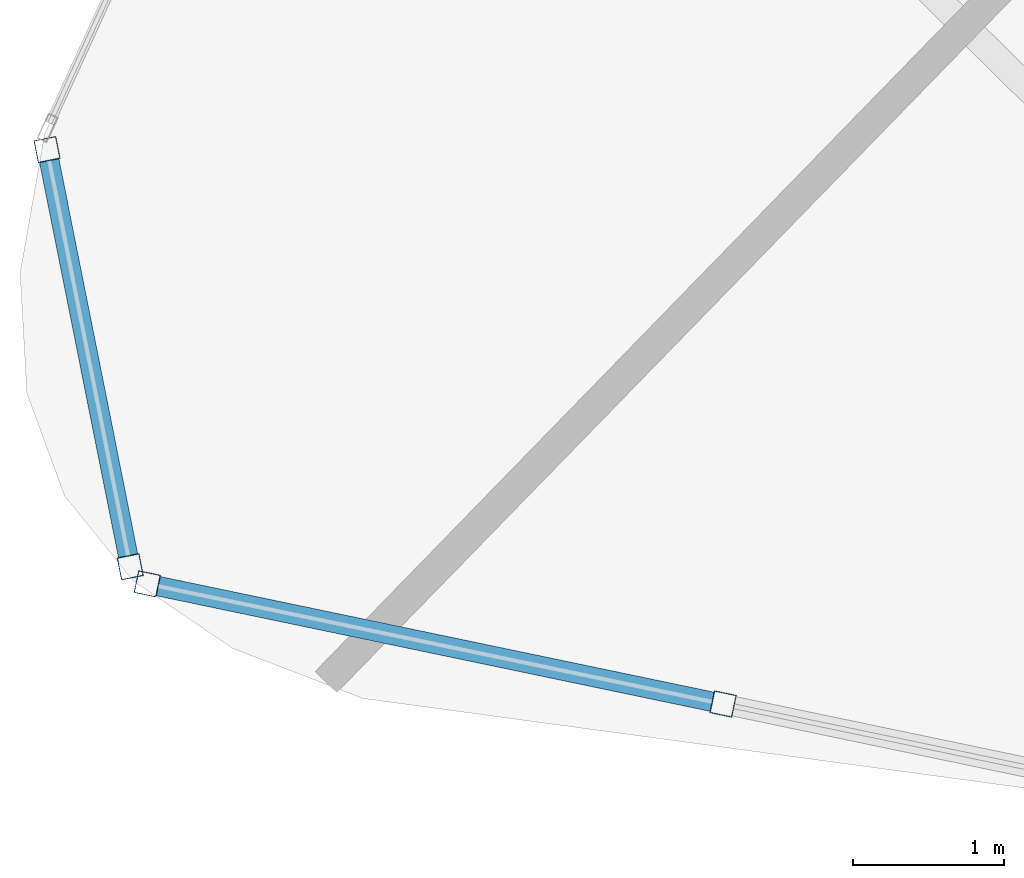
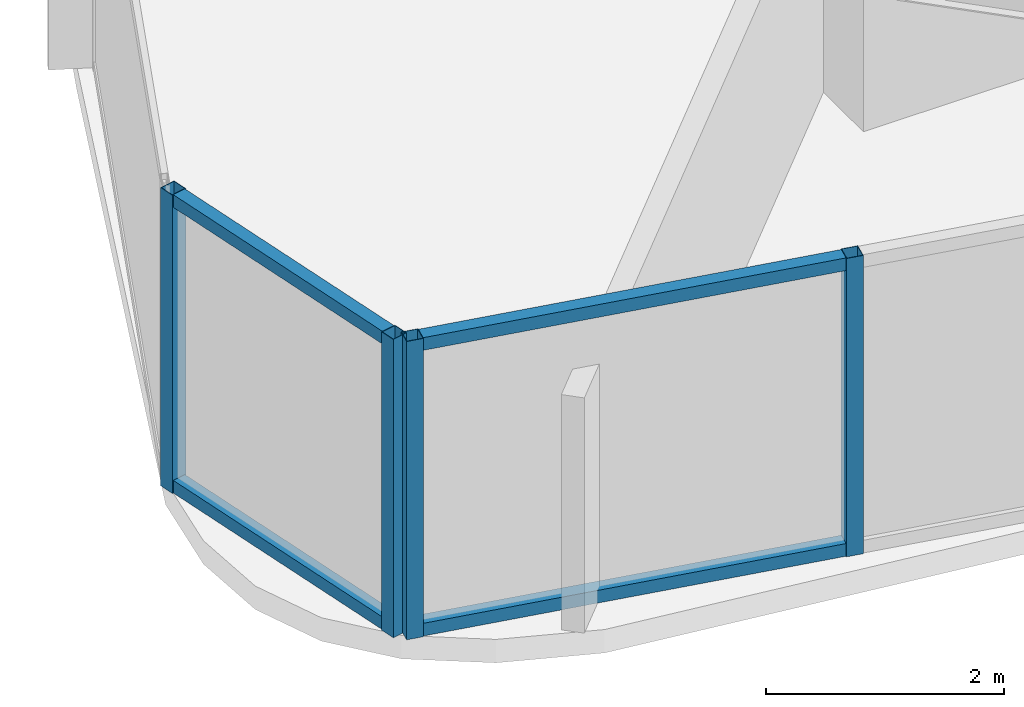
# One storey, part 2 of 33: 8 members, 2 elements without a shape of their own.
"""IFC4 building model written with IfcOpenShell, lengths in metres."""

from ifc_helpers import new_model, si_unit, direction, frame, origin, origin_2d, place, context, subcontext, project, spatial, hollow_rectangle, extrude, material, layer, layer_set, material_profile, profile_set, type_object, element, aggregate, save


model = new_model("IFC4")

# Units and contexts
model_context = context("Model", 3, precision=1e-05, world=origin(), true_north=direction((0.0, 1.0)))
body_context = subcontext(model_context, "Body", "Model", "MODEL_VIEW")
ifc_project = project(units=[si_unit("LENGTHUNIT", "METRE"), si_unit("AREAUNIT", "SQUARE_METRE"), si_unit("VOLUMEUNIT", "CUBIC_METRE"), si_unit("PLANEANGLEUNIT", "RADIAN"), si_unit("MASSUNIT", "GRAM", prefix="KILO")], contexts=[model_context])

# Site, building, storey
site_placement = place(None, origin())
site = spatial("IfcSite", under=ifc_project, at=site_placement, CompositionType="ELEMENT")
building_placement = place(site_placement, origin())
building = spatial("IfcBuilding", under=site, at=building_placement, Name="Orvanel Arch Residences", CompositionType="ELEMENT")
storey_placement = place(building_placement, frame((0.0, 0.0, 87.35009765625)))
storey = spatial("IfcBuildingStorey", under=building, at=storey_placement, Name="L24", CompositionType="ELEMENT", Elevation=87.35009765625)

# Curtain wall, members
ifc_material = material(Name="Bronze-anodised aluminium AA6063-T6", Category="aluminium")
ifc_layer = layer(ifc_material, 0.18994140625)
ifc_layer_set = layer_set([ifc_layer], Name="Bronze-anodised aluminium AA6063-T6")
curtain_wall_type = type_object("IfcCurtainWallType", Name="CW5-CRN-SYS", PredefinedType="NOTDEFINED", material=ifc_layer_set)
curtain_wall_1_placement = place(storey_placement, origin())
curtain_wall_1 = element("IfcCurtainWall", 1, at=curtain_wall_1_placement, inside=storey, type_object=curtain_wall_type, Name="L24 CW5-CRN-SYS Unitised Curtain Wall", PredefinedType="NOTDEFINED")
ifc_material_profile_1 = material_profile(ifc_material, hollow_rectangle(XDim=0.14990234375, YDim=0.14990234375, WallThickness=0.0048828125, at=origin_2d()), Name="ALU150x150x5")
ifc_profile_set_1 = profile_set([ifc_material_profile_1], Name="Bronze-anodised aluminium AA6063-T6")
member_type_1 = type_object("IfcMemberType", Name="MUL-150x150", PredefinedType="MULLION", material=ifc_profile_set_1)
member_1_placement = place(storey_placement, frame((5.78076171875, 7.953369140625, 0.0), z_axis=(0.0, 0.0, 1.0), x_axis=(0.980658473743, 0.195726742876, 0.0)))
member_1 = element("IfcMember", 2, at=member_1_placement, type_object=member_type_1, Name="CW-S5 mullion 1", PredefinedType="MULLION", context=body_context, shape_type="SweptSolid", body=[
    extrude(hollow_rectangle(XDim=0.14990234375, YDim=0.14990234375, WallThickness=0.0048828125, at=origin_2d()), origin(), (0.0, 0.0, 1.0), 3.059814453125),
])
member_2_placement = place(storey_placement, frame((6.331298828125, 5.194580078125, 0.0), z_axis=(0.0, 0.0, 1.0), x_axis=(0.980658473743, 0.195726742876, 0.0)))
member_2 = element("IfcMember", 3, at=member_2_placement, type_object=member_type_1, Name="CW-S5 mullion 2", PredefinedType="MULLION", context=body_context, shape_type="SweptSolid", body=[
    extrude(hollow_rectangle(XDim=0.14990234375, YDim=0.14990234375, WallThickness=0.0048828125, at=origin_2d()), origin(), (0.0, 0.0, 1.0), 3.059814453125),
])

curtain_wall_2_placement = place(storey_placement, origin())
curtain_wall_2 = element("IfcCurtainWall", 4, at=curtain_wall_2_placement, inside=storey, type_object=curtain_wall_type, Name="L24 CW5-CRN-SYS Unitised Curtain Wall", PredefinedType="NOTDEFINED")
member_3_placement = place(storey_placement, frame((6.443359375, 5.081787109375, 0.0), z_axis=(0.0, 0.0, 1.0), x_axis=(0.204281556473, 0.978912174653, 0.0)))
member_3 = element("IfcMember", 5, at=member_3_placement, type_object=member_type_1, Name="CW-S5 mullion 1", PredefinedType="MULLION", context=body_context, shape_type="SweptSolid", body=[
    extrude(hollow_rectangle(XDim=0.14990234375, YDim=0.14990234375, WallThickness=0.0048828125, at=origin_2d()), origin(), (0.0, 0.0, 1.0), 3.059814453125),
])
member_4_placement = place(storey_placement, frame((10.25146484375, 4.287109375, 0.0), z_axis=(0.0, 0.0, 1.0), x_axis=(0.204281556473, 0.978912174653, 0.0)))
member_4 = element("IfcMember", 6, at=member_4_placement, type_object=member_type_1, Name="CW-S5 mullion 2", PredefinedType="MULLION", context=body_context, shape_type="SweptSolid", body=[
    extrude(hollow_rectangle(XDim=0.14990234375, YDim=0.14990234375, WallThickness=0.0048828125, at=origin_2d()), origin(), (0.0, 0.0, 1.0), 3.059814453125),
])

# Member
ifc_material_profile_2 = material_profile(ifc_material, hollow_rectangle(XDim=0.1298828125, YDim=0.1298828125, WallThickness=0.00439453125, at=origin_2d()), Name="ALU130x130x4.5")
ifc_profile_set_2 = profile_set([ifc_material_profile_2], Name="Bronze-anodised aluminium AA6063-T6")
member_type_2 = type_object("IfcMemberType", Name="TRN-130x130", PredefinedType="USERDEFINED", material=ifc_profile_set_2)
member_5_placement = place(storey_placement, frame((5.79541015625, 7.8798828125, 0.06494140625), z_axis=(0.195710664825, -0.980661682576, 0.0), x_axis=(0.980661682576, 0.195710664825, 0.0)))
member_5 = element("IfcMember", 7, at=member_5_placement, type_object=member_type_2, Name="CW-S5 transom 1.1", ObjectType="TRANSOM", PredefinedType="USERDEFINED", context=body_context, shape_type="SweptSolid", body=[
    extrude(hollow_rectangle(XDim=0.1298828125, YDim=0.1298828125, WallThickness=0.00439453125, at=origin_2d()), origin(), (0.0, 0.0, 1.0), 2.663330078125),
])

member_6_placement = place(storey_placement, frame((5.79541015625, 7.8798828125, 2.994873046875), z_axis=(0.195710664825, -0.980661682576, 0.0), x_axis=(0.980661682576, 0.195710664825, 0.0)))
member_6 = element("IfcMember", 8, at=member_6_placement, type_object=member_type_2, Name="CW-S5 transom 1.2", ObjectType="TRANSOM", PredefinedType="USERDEFINED", context=body_context, shape_type="SweptSolid", body=[
    extrude(hollow_rectangle(XDim=0.1298828125, YDim=0.1298828125, WallThickness=0.00439453125, at=origin_2d()), origin(), (0.0, 0.0, 1.0), 2.663330078125),
])

aggregate(curtain_wall_1, [member_1, member_2, member_5, member_6])

member_7_placement = place(storey_placement, frame((6.516845703125, 5.06640625, 0.06494140625), z_axis=(0.978904321121, -0.20431918679, 0.0), x_axis=(0.20431918679, 0.978904321121, 0.0)))
member_7 = element("IfcMember", 9, at=member_7_placement, type_object=member_type_2, Name="CW-S5 transom 1.1", ObjectType="TRANSOM", PredefinedType="USERDEFINED", context=body_context, shape_type="SweptSolid", body=[
    extrude(hollow_rectangle(XDim=0.1298828125, YDim=0.1298828125, WallThickness=0.00439453125, at=origin_2d()), origin(), (0.0, 0.0, 1.0), 3.739990234375),
])

member_8_placement = place(storey_placement, frame((6.516845703125, 5.06640625, 2.994873046875), z_axis=(0.978904321121, -0.20431918679, 0.0), x_axis=(0.20431918679, 0.978904321121, 0.0)))
member_8 = element("IfcMember", 10, at=member_8_placement, type_object=member_type_2, Name="CW-S5 transom 1.2", ObjectType="TRANSOM", PredefinedType="USERDEFINED", context=body_context, shape_type="SweptSolid", body=[
    extrude(hollow_rectangle(XDim=0.1298828125, YDim=0.1298828125, WallThickness=0.00439453125, at=origin_2d()), origin(), (0.0, 0.0, 1.0), 3.739990234375),
])

aggregate(curtain_wall_2, [member_3, member_4, member_7, member_8])

save(model, "model.ifc")
